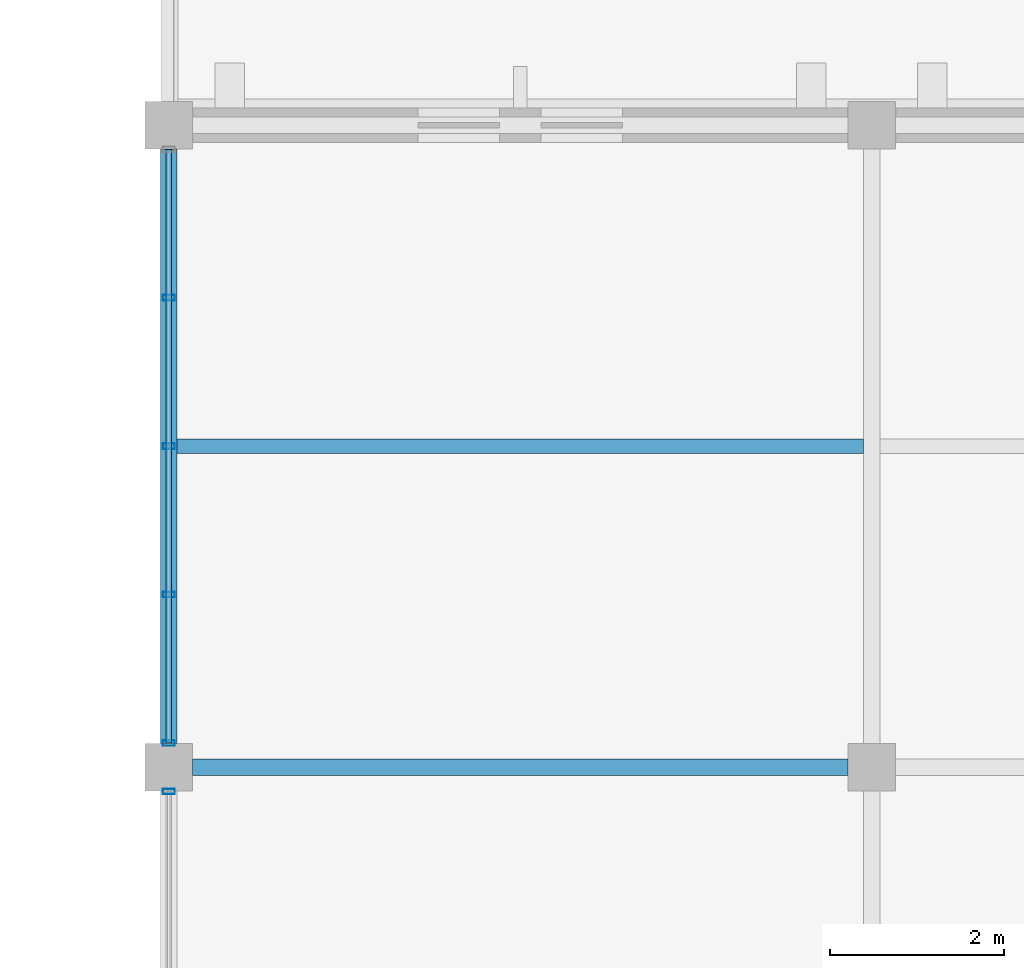
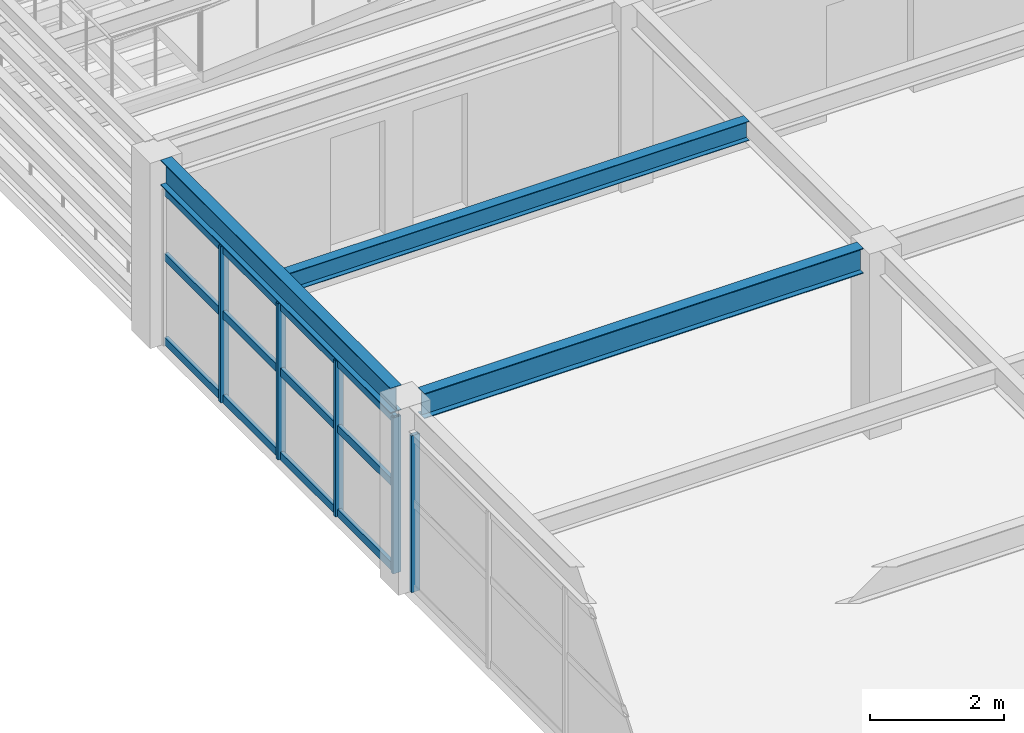
# One storey, part 68 of 121: 8 members, 3 beams, 2 elements without a shape of their own.
"""IFC4 building model written with IfcOpenShell, lengths in metres."""

from ifc_helpers import new_model, si_unit, direction, frame, origin, origin_2d, place, context, subcontext, project, spatial, hollow_rectangle, i_section, extrude, material, material_profile, profile_set, type_object, element, aggregate, save


model = new_model("IFC4")

# Units and contexts
model_context = context("Model", 3, precision=1e-05, world=origin(), true_north=direction((0.0, 1.0)))
body_context = subcontext(model_context, "Body", "Model", "MODEL_VIEW")
ifc_project = project(units=[si_unit("LENGTHUNIT", "METRE"), si_unit("AREAUNIT", "SQUARE_METRE"), si_unit("VOLUMEUNIT", "CUBIC_METRE"), si_unit("PLANEANGLEUNIT", "RADIAN"), si_unit("MASSUNIT", "GRAM", prefix="KILO")], contexts=[model_context])

# Site, building, storey
site_placement = place(None, origin())
site = spatial("IfcSite", under=ifc_project, at=site_placement, CompositionType="ELEMENT")
building_placement = place(site_placement, origin())
building = spatial("IfcBuilding", under=site, at=building_placement, Name="Cimatlan Art Gallery", CompositionType="ELEMENT")
storey_placement = place(building_placement, frame((0.0, 0.0, 10.199951171875)))
storey = spatial("IfcBuildingStorey", under=building, at=storey_placement, Name="L02", CompositionType="ELEMENT", Elevation=10.199951171875)

# Beams
ifc_material_1 = material(Name="Steel ASTM A992 Grade 50", Category="steel")
ifc_material_profile_1 = material_profile(ifc_material_1, i_section(OverallWidth=0.1708984375, OverallDepth=0.35107421875, WebThickness=0.0068359375, FlangeThickness=0.009765625, at=origin_2d()), Name="W14X30")
ifc_profile_set_1 = profile_set([ifc_material_profile_1], Name="Steel ASTM A992 Grade 50")
beam_type_1 = type_object("IfcBeamType", Name="BM-STL-W14X30", PredefinedType="JOIST", material=ifc_profile_set_1)
beam_1_placement = place(storey_placement, frame((115.49560546875, 79.39990234375, 3.194580078125), z_axis=(1.0, 0.0, 0.0), x_axis=(0.0, 1.0, 0.0)))
element("IfcBeam", 1, at=beam_1_placement, inside=storey, type_object=beam_type_1, Name="JST-L02-14-10", PredefinedType="JOIST", context=body_context, shape_type="SweptSolid", body=[
    extrude(i_section(OverallWidth=0.1708984375, OverallDepth=0.35107421875, WebThickness=0.0068359375, FlangeThickness=0.009765625, at=origin_2d()), origin(), (0.0, 0.0, 1.0), 7.908935546875),
])
ifc_material_profile_2 = material_profile(ifc_material_1, i_section(OverallWidth=0.19091796875, OverallDepth=0.45703125, WebThickness=0.009033203125, FlangeThickness=0.014404296875, at=origin_2d()), Name="W18X50")
ifc_profile_set_2 = profile_set([ifc_material_profile_2], Name="Steel ASTM A992 Grade 50")
beam_type_2 = type_object("IfcBeamType", Name="BM-STL-W18X50", PredefinedType="BEAM", material=ifc_profile_set_2)
beam_2_placement = place(storey_placement, frame((115.39990234375, 75.97509765625, 3.1416015625), z_axis=(0.0, 1.0, 0.0), x_axis=(-1.0, 0.0, 0.0)))
element("IfcBeam", 2, at=beam_2_placement, inside=storey, type_object=beam_type_2, Name="BM-Y-L02-14-10", PredefinedType="BEAM", context=body_context, shape_type="SweptSolid", body=[
    extrude(i_section(OverallWidth=0.19091796875, OverallDepth=0.45703125, WebThickness=0.009033203125, FlangeThickness=0.014404296875, at=origin_2d()), origin(), (0.0, 0.0, 1.0), 6.849853515625),
])
beam_3_placement = place(storey_placement, frame((115.675048828125, 75.699951171875, 3.1416015625), z_axis=(1.0, 0.0, 0.0), x_axis=(0.0, 1.0, 0.0)))
element("IfcBeam", 3, at=beam_3_placement, inside=storey, type_object=beam_type_2, Name="BM-X-L02-14-10", PredefinedType="BEAM", context=body_context, shape_type="SweptSolid", body=[
    extrude(i_section(OverallWidth=0.19091796875, OverallDepth=0.45703125, WebThickness=0.009033203125, FlangeThickness=0.014404296875, at=origin_2d()), origin(), (0.0, 0.0, 1.0), 7.550048828125),
])

# Curtain wall, member
ifc_material_2 = material(Name="Anodised bronze unitised curtain wall")
curtain_wall_type_1 = type_object("IfcCurtainWallType", Name="CW-V-06842X02853-B3", PredefinedType="NOTDEFINED", material=ifc_material_2)
curtain_wall_1_placement = place(storey_placement, origin())
curtain_wall_1 = element("IfcCurtainWall", 4, at=curtain_wall_1_placement, inside=storey, type_object=curtain_wall_type_1, Name="CW-L02-14-09-W", PredefinedType="NOTDEFINED")
ifc_material_3 = material(Name="Anodised bronze aluminium 6063-T6", Category="aluminium")
ifc_material_profile_3 = material_profile(ifc_material_3, hollow_rectangle(XDim=0.06494140625, YDim=0.139892578125, WallThickness=0.00390625, at=origin_2d()), Name="ALU65X140X4")
ifc_profile_set_3 = profile_set([ifc_material_profile_3], Name="Anodised bronze aluminium 6063-T6")
member_type_1 = type_object("IfcMemberType", Name="CW-MUL-140", PredefinedType="MULLION", material=ifc_profile_set_3)
member_1_placement = place(storey_placement, frame((115.39990234375, 75.4208984375, 0.0), z_axis=(0.0, 0.0, 1.0), x_axis=(0.0, 1.0, 0.0)))
member_1 = element("IfcMember", 5, at=member_1_placement, type_object=member_type_1, Name="CW-L02-14-09-W-M4", PredefinedType="MULLION", context=body_context, shape_type="SweptSolid", body=[
    extrude(hollow_rectangle(XDim=0.06494140625, YDim=0.139892578125, WallThickness=0.00390625, at=origin_2d()), origin(), (0.0, 0.0, 1.0), 2.85302734375),
])
aggregate(curtain_wall_1, [member_1])

# Curtain wall, members
curtain_wall_type_2 = type_object("IfcCurtainWallType", Name="CW-V-06842X02838-B4", PredefinedType="NOTDEFINED", material=ifc_material_2)
curtain_wall_2_placement = place(storey_placement, origin())
curtain_wall_2 = element("IfcCurtainWall", 6, at=curtain_wall_2_placement, inside=storey, type_object=curtain_wall_type_2, Name="CW-L02-14-10-W", PredefinedType="NOTDEFINED")
member_2_placement = place(storey_placement, frame((115.39990234375, 75.97900390625, 0.0), z_axis=(0.0, 0.0, 1.0), x_axis=(0.0, 1.0, 0.0)))
member_2 = element("IfcMember", 7, at=member_2_placement, type_object=member_type_1, Name="CW-L02-14-10-W-M1", PredefinedType="MULLION", context=body_context, shape_type="SweptSolid", body=[
    extrude(hollow_rectangle(XDim=0.06494140625, YDim=0.139892578125, WallThickness=0.00390625, at=origin_2d()), origin(), (0.0, 0.0, 1.0), 2.838134765625),
])
member_3_placement = place(storey_placement, frame((115.39990234375, 77.689453125, 0.0), z_axis=(0.0, 0.0, 1.0), x_axis=(0.0, 1.0, 0.0)))
member_3 = element("IfcMember", 8, at=member_3_placement, type_object=member_type_1, Name="CW-L02-14-10-W-M2", PredefinedType="MULLION", context=body_context, shape_type="SweptSolid", body=[
    extrude(hollow_rectangle(XDim=0.06494140625, YDim=0.139892578125, WallThickness=0.00390625, at=origin_2d()), origin(), (0.0, 0.0, 1.0), 2.838134765625),
])
member_4_placement = place(storey_placement, frame((115.39990234375, 79.39990234375, 0.0), z_axis=(0.0, 0.0, 1.0), x_axis=(0.0, 1.0, 0.0)))
member_4 = element("IfcMember", 9, at=member_4_placement, type_object=member_type_1, Name="CW-L02-14-10-W-M3", PredefinedType="MULLION", context=body_context, shape_type="SweptSolid", body=[
    extrude(hollow_rectangle(XDim=0.06494140625, YDim=0.139892578125, WallThickness=0.00390625, at=origin_2d()), origin(), (0.0, 0.0, 1.0), 2.838134765625),
])
member_5_placement = place(storey_placement, frame((115.39990234375, 81.110595703125, 0.0), z_axis=(0.0, 0.0, 1.0), x_axis=(0.0, 1.0, 0.0)))
member_5 = element("IfcMember", 10, at=member_5_placement, type_object=member_type_1, Name="CW-L02-14-10-W-M4", PredefinedType="MULLION", context=body_context, shape_type="SweptSolid", body=[
    extrude(hollow_rectangle(XDim=0.06494140625, YDim=0.139892578125, WallThickness=0.00390625, at=origin_2d()), origin(), (0.0, 0.0, 1.0), 2.838134765625),
])
ifc_material_profile_4 = material_profile(ifc_material_3, hollow_rectangle(XDim=0.06494140625, YDim=0.139892578125, WallThickness=0.00390625, at=origin_2d()), Name="ALU65X140X4")
ifc_profile_set_4 = profile_set([ifc_material_profile_4], Name="Anodised bronze aluminium 6063-T6")
member_type_2 = type_object("IfcMemberType", Name="CW-TRN-140", PredefinedType="USERDEFINED", material=ifc_profile_set_4)
member_6_placement = place(storey_placement, frame((115.39990234375, 75.97900390625, 0.06005859375), z_axis=(0.0, 1.0, 0.0), x_axis=(-1.0, 0.0, 0.0)))
member_6 = element("IfcMember", 11, at=member_6_placement, type_object=member_type_2, Name="CW-L02-14-10-W-T1", ObjectType="TRANSOM", PredefinedType="USERDEFINED", context=body_context, shape_type="SweptSolid", body=[
    extrude(hollow_rectangle(XDim=0.06494140625, YDim=0.139892578125, WallThickness=0.00390625, at=origin_2d()), origin(), (0.0, 0.0, 1.0), 6.842041015625),
])
member_7_placement = place(storey_placement, frame((115.39990234375, 75.97900390625, 1.58935546875), z_axis=(0.0, 1.0, 0.0), x_axis=(-1.0, 0.0, 0.0)))
member_7 = element("IfcMember", 12, at=member_7_placement, type_object=member_type_2, Name="CW-L02-14-10-W-T2", ObjectType="TRANSOM", PredefinedType="USERDEFINED", context=body_context, shape_type="SweptSolid", body=[
    extrude(hollow_rectangle(XDim=0.06494140625, YDim=0.139892578125, WallThickness=0.00390625, at=origin_2d()), origin(), (0.0, 0.0, 1.0), 6.842041015625),
])
member_8_placement = place(storey_placement, frame((115.39990234375, 75.97900390625, 2.778076171875), z_axis=(0.0, 1.0, 0.0), x_axis=(-1.0, 0.0, 0.0)))
member_8 = element("IfcMember", 13, at=member_8_placement, type_object=member_type_2, Name="CW-L02-14-10-W-T3", ObjectType="TRANSOM", PredefinedType="USERDEFINED", context=body_context, shape_type="SweptSolid", body=[
    extrude(hollow_rectangle(XDim=0.06494140625, YDim=0.139892578125, WallThickness=0.00390625, at=origin_2d()), origin(), (0.0, 0.0, 1.0), 6.842041015625),
])
aggregate(curtain_wall_2, [member_2, member_3, member_4, member_5, member_6, member_7, member_8])

save(model, "model.ifc")
